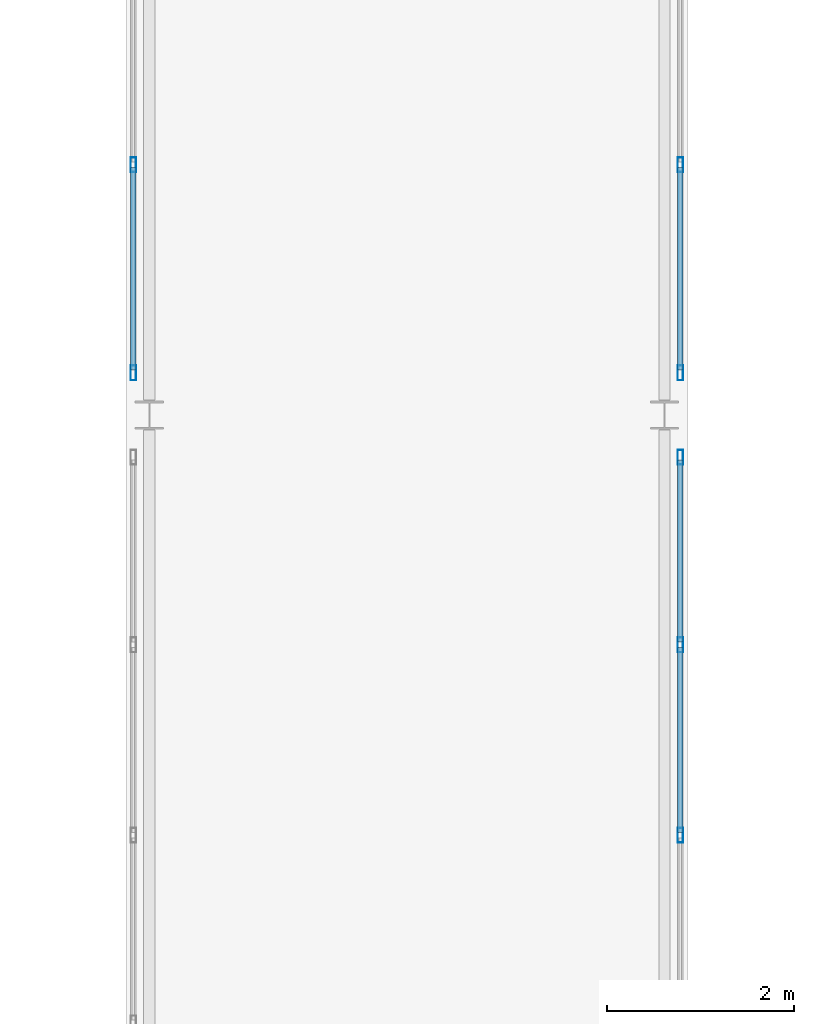
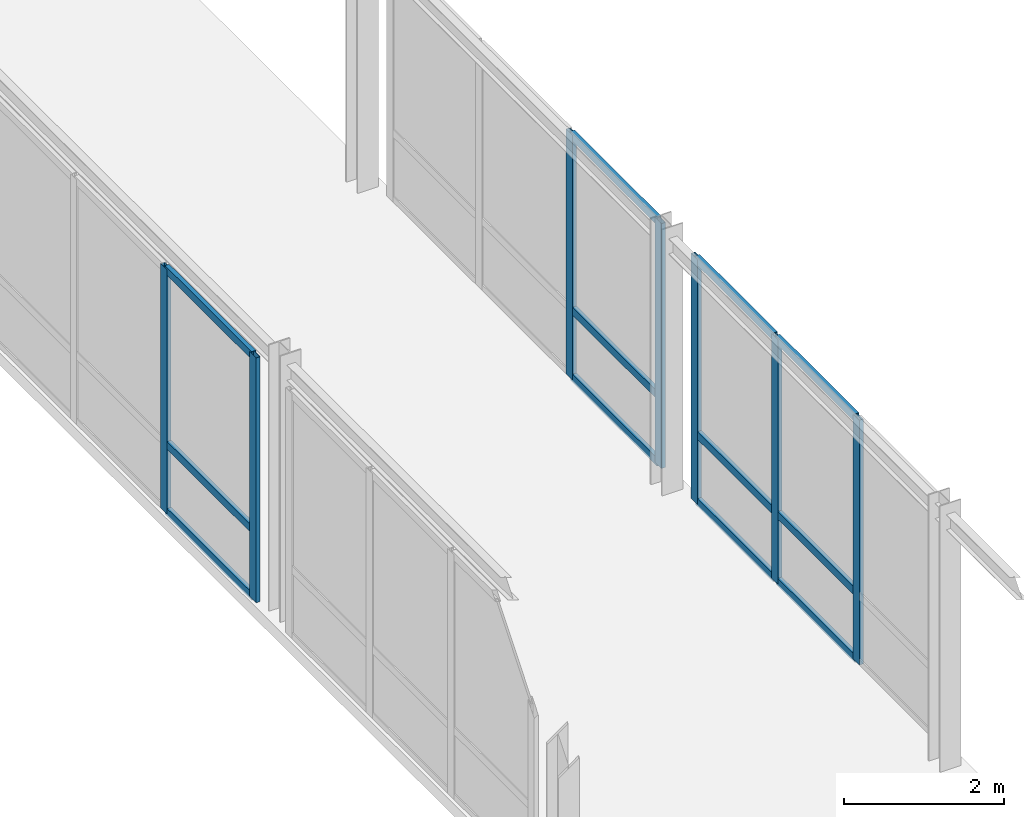
# One storey, part 59 of 165: 19 members, 3 elements without a shape of their own.
"""IFC4 building model written with IfcOpenShell, lengths in metres."""

from ifc_helpers import new_model, si_unit, direction, frame, origin, origin_2d, place, context, subcontext, project, spatial, hollow_rectangle, extrude, material, layer, layer_set, material_profile, profile_set, type_object, element, aggregate, save


model = new_model("IFC4")

# Units and contexts
model_context = context("Model", 3, precision=1e-05, world=origin(), true_north=direction((0.0, 1.0)))
body_context = subcontext(model_context, "Body", "Model", "MODEL_VIEW")
ifc_project = project(units=[si_unit("LENGTHUNIT", "METRE"), si_unit("AREAUNIT", "SQUARE_METRE"), si_unit("VOLUMEUNIT", "CUBIC_METRE"), si_unit("PLANEANGLEUNIT", "RADIAN"), si_unit("MASSUNIT", "GRAM", prefix="KILO")], contexts=[model_context])

# Site, building, storey
site_placement = place(None, origin())
site = spatial("IfcSite", under=ifc_project, at=site_placement, CompositionType="ELEMENT")
building_placement = place(site_placement, origin())
building = spatial("IfcBuilding", under=site, at=building_placement, Name="Montecoro Central Library", CompositionType="ELEMENT")
storey_placement = place(building_placement, frame((0.0, 0.0, 5.10009765625)))
storey = spatial("IfcBuildingStorey", under=building, at=storey_placement, Name="L01", CompositionType="ELEMENT", Elevation=5.10009765625)

# Curtain wall, members
ifc_material_1 = material(Name="Bronze-anodised aluminium and low-E glazing", Category="aluminium")
ifc_layer_1 = layer(ifc_material_1, 0.159912109375)
ifc_layer_set_1 = layer_set([ifc_layer_1], Name="Bronze-anodised aluminium and low-E glazing")
curtain_wall_type_1 = type_object("IfcCurtainWallType", Name="CWT-076", PredefinedType="NOTDEFINED", material=ifc_layer_set_1)
curtain_wall_1_placement = place(storey_placement, origin())
curtain_wall_1 = element("IfcCurtainWall", 1, at=curtain_wall_1_placement, inside=storey, type_object=curtain_wall_type_1, Name="BR-N-L01-CW-W2", PredefinedType="NOTDEFINED")
ifc_material_2 = material(Name="Bronze-anodised aluminium", Category="aluminium")
ifc_material_profile_1 = material_profile(ifc_material_2, hollow_rectangle(XDim=0.06005859375, YDim=0.159912109375, WallThickness=0.00390625, at=origin_2d()), Name="CWM 160x60x4.0")
ifc_profile_set_1 = profile_set([ifc_material_profile_1], Name="Bronze-anodised aluminium")
member_type_1 = type_object("IfcMemberType", Name="CWM-BRZ-60", PredefinedType="MULLION", material=ifc_profile_set_1)
member_1_placement = place(storey_placement, frame((88.679931640625, 66.25, 0.0), z_axis=(0.0, 0.0, 1.0), x_axis=(-1.0, 0.0, 0.0)))
member_1 = element("IfcMember", 2, at=member_1_placement, type_object=member_type_1, Name="CW-076 mullion 1", PredefinedType="MULLION", context=body_context, shape_type="SweptSolid", body=[
    extrude(hollow_rectangle(XDim=0.06005859375, YDim=0.159912109375, WallThickness=0.00390625, at=origin_2d()), origin(), (0.0, 0.0, 1.0), 3.72998046875),
])
member_2_placement = place(storey_placement, frame((88.679931640625, 68.473388671875, 0.0), z_axis=(0.0, 0.0, 1.0), x_axis=(-1.0, 0.0, 0.0)))
member_2 = element("IfcMember", 3, at=member_2_placement, type_object=member_type_1, Name="CW-076 mullion 2", PredefinedType="MULLION", context=body_context, shape_type="SweptSolid", body=[
    extrude(hollow_rectangle(XDim=0.06005859375, YDim=0.159912109375, WallThickness=0.00390625, at=origin_2d()), origin(), (0.0, 0.0, 1.0), 3.72998046875),
])

ifc_layer_2 = layer(ifc_material_1, 0.159912109375)
ifc_layer_set_2 = layer_set([ifc_layer_2], Name="Bronze-anodised aluminium and low-E glazing")
curtain_wall_type_2 = type_object("IfcCurtainWallType", Name="CWT-075", PredefinedType="NOTDEFINED", material=ifc_layer_set_2)
curtain_wall_2_placement = place(storey_placement, origin())
curtain_wall_2 = element("IfcCurtainWall", 4, at=curtain_wall_2_placement, inside=storey, type_object=curtain_wall_type_2, Name="BR-N-L01-CW-E1", PredefinedType="NOTDEFINED")
member_3_placement = place(storey_placement, frame((94.52001953125, 61.313232421875, 0.0), z_axis=(0.0, 0.0, 1.0), x_axis=(-1.0, 0.0, 0.0)))
member_3 = element("IfcMember", 5, at=member_3_placement, type_object=member_type_1, Name="CW-075 mullion 2", PredefinedType="MULLION", context=body_context, shape_type="SweptSolid", body=[
    extrude(hollow_rectangle(XDim=0.06005859375, YDim=0.159912109375, WallThickness=0.00390625, at=origin_2d()), origin(), (0.0, 0.0, 1.0), 3.72998046875),
])
member_4_placement = place(storey_placement, frame((94.52001953125, 63.3466796875, 0.0), z_axis=(0.0, 0.0, 1.0), x_axis=(-1.0, 0.0, 0.0)))
member_4 = element("IfcMember", 6, at=member_4_placement, type_object=member_type_1, Name="CW-075 mullion 3", PredefinedType="MULLION", context=body_context, shape_type="SweptSolid", body=[
    extrude(hollow_rectangle(XDim=0.06005859375, YDim=0.159912109375, WallThickness=0.00390625, at=origin_2d()), origin(), (0.0, 0.0, 1.0), 3.72998046875),
])
member_5_placement = place(storey_placement, frame((94.52001953125, 65.35009765625, 0.0), z_axis=(0.0, 0.0, 1.0), x_axis=(-1.0, 0.0, 0.0)))
member_5 = element("IfcMember", 7, at=member_5_placement, type_object=member_type_1, Name="CW-075 mullion 4", PredefinedType="MULLION", context=body_context, shape_type="SweptSolid", body=[
    extrude(hollow_rectangle(XDim=0.06005859375, YDim=0.159912109375, WallThickness=0.00390625, at=origin_2d()), origin(), (0.0, 0.0, 1.0), 3.72998046875),
])

curtain_wall_3_placement = place(storey_placement, origin())
curtain_wall_3 = element("IfcCurtainWall", 8, at=curtain_wall_3_placement, inside=storey, type_object=curtain_wall_type_1, Name="BR-N-L01-CW-E2", PredefinedType="NOTDEFINED")
member_6_placement = place(storey_placement, frame((94.52001953125, 66.25, 0.0), z_axis=(0.0, 0.0, 1.0), x_axis=(-1.0, 0.0, 0.0)))
member_6 = element("IfcMember", 9, at=member_6_placement, type_object=member_type_1, Name="CW-076 mullion 1", PredefinedType="MULLION", context=body_context, shape_type="SweptSolid", body=[
    extrude(hollow_rectangle(XDim=0.06005859375, YDim=0.159912109375, WallThickness=0.00390625, at=origin_2d()), origin(), (0.0, 0.0, 1.0), 3.72998046875),
])
member_7_placement = place(storey_placement, frame((94.52001953125, 68.473388671875, 0.0), z_axis=(0.0, 0.0, 1.0), x_axis=(-1.0, 0.0, 0.0)))
member_7 = element("IfcMember", 10, at=member_7_placement, type_object=member_type_1, Name="CW-076 mullion 2", PredefinedType="MULLION", context=body_context, shape_type="SweptSolid", body=[
    extrude(hollow_rectangle(XDim=0.06005859375, YDim=0.159912109375, WallThickness=0.00390625, at=origin_2d()), origin(), (0.0, 0.0, 1.0), 3.72998046875),
])

# Member
ifc_material_profile_2 = material_profile(ifc_material_2, hollow_rectangle(XDim=0.06005859375, YDim=0.1201171875, WallThickness=0.00390625, at=origin_2d()), Name="CWT 120x60x4.0")
ifc_profile_set_2 = profile_set([ifc_material_profile_2], Name="Bronze-anodised aluminium")
member_type_2 = type_object("IfcMemberType", Name="CWT-BRZ-60", PredefinedType="USERDEFINED", material=ifc_profile_set_2)
member_8_placement = place(storey_placement, frame((88.679931640625, 66.280029296875, 0.02978515625), z_axis=(0.0, 1.0, 0.0), x_axis=(-1.0, 0.0, 0.0)))
member_8 = element("IfcMember", 11, at=member_8_placement, type_object=member_type_2, Name="CW-076 transom 1.1", ObjectType="TRANSOM", PredefinedType="USERDEFINED", context=body_context, shape_type="SweptSolid", body=[
    extrude(hollow_rectangle(XDim=0.06005859375, YDim=0.1201171875, WallThickness=0.00390625, at=origin_2d()), origin(), (0.0, 0.0, 1.0), 2.163330078125),
])

member_9_placement = place(storey_placement, frame((88.679931640625, 66.280029296875, 1.0498046875), z_axis=(0.0, 1.0, 0.0), x_axis=(-1.0, 0.0, 0.0)))
member_9 = element("IfcMember", 12, at=member_9_placement, type_object=member_type_2, Name="CW-076 transom 1.2", ObjectType="TRANSOM", PredefinedType="USERDEFINED", context=body_context, shape_type="SweptSolid", body=[
    extrude(hollow_rectangle(XDim=0.06005859375, YDim=0.1201171875, WallThickness=0.00390625, at=origin_2d()), origin(), (0.0, 0.0, 1.0), 2.163330078125),
])

member_10_placement = place(storey_placement, frame((88.679931640625, 66.280029296875, 3.699951171875), z_axis=(0.0, 1.0, 0.0), x_axis=(-1.0, 0.0, 0.0)))
member_10 = element("IfcMember", 13, at=member_10_placement, type_object=member_type_2, Name="CW-076 transom 1.3", ObjectType="TRANSOM", PredefinedType="USERDEFINED", context=body_context, shape_type="SweptSolid", body=[
    extrude(hollow_rectangle(XDim=0.06005859375, YDim=0.1201171875, WallThickness=0.00390625, at=origin_2d()), origin(), (0.0, 0.0, 1.0), 2.163330078125),
])

aggregate(curtain_wall_1, [member_1, member_2, member_8, member_9, member_10])

member_11_placement = place(storey_placement, frame((94.52001953125, 61.34326171875, 0.02978515625), z_axis=(0.0, 1.0, 0.0), x_axis=(-1.0, 0.0, 0.0)))
member_11 = element("IfcMember", 14, at=member_11_placement, type_object=member_type_2, Name="CW-075 transom 2.1", ObjectType="TRANSOM", PredefinedType="USERDEFINED", context=body_context, shape_type="SweptSolid", body=[
    extrude(hollow_rectangle(XDim=0.06005859375, YDim=0.1201171875, WallThickness=0.00390625, at=origin_2d()), origin(), (0.0, 0.0, 1.0), 1.973388671875),
])

member_12_placement = place(storey_placement, frame((94.52001953125, 61.34326171875, 1.0498046875), z_axis=(0.0, 1.0, 0.0), x_axis=(-1.0, 0.0, 0.0)))
member_12 = element("IfcMember", 15, at=member_12_placement, type_object=member_type_2, Name="CW-075 transom 2.2", ObjectType="TRANSOM", PredefinedType="USERDEFINED", context=body_context, shape_type="SweptSolid", body=[
    extrude(hollow_rectangle(XDim=0.06005859375, YDim=0.1201171875, WallThickness=0.00390625, at=origin_2d()), origin(), (0.0, 0.0, 1.0), 1.973388671875),
])

member_13_placement = place(storey_placement, frame((94.52001953125, 61.34326171875, 3.699951171875), z_axis=(0.0, 1.0, 0.0), x_axis=(-1.0, 0.0, 0.0)))
member_13 = element("IfcMember", 16, at=member_13_placement, type_object=member_type_2, Name="CW-075 transom 2.3", ObjectType="TRANSOM", PredefinedType="USERDEFINED", context=body_context, shape_type="SweptSolid", body=[
    extrude(hollow_rectangle(XDim=0.06005859375, YDim=0.1201171875, WallThickness=0.00390625, at=origin_2d()), origin(), (0.0, 0.0, 1.0), 1.973388671875),
])

member_14_placement = place(storey_placement, frame((94.52001953125, 63.376708984375, 0.02978515625), z_axis=(0.0, 1.0, 0.0), x_axis=(-1.0, 0.0, 0.0)))
member_14 = element("IfcMember", 17, at=member_14_placement, type_object=member_type_2, Name="CW-075 transom 3.1", ObjectType="TRANSOM", PredefinedType="USERDEFINED", context=body_context, shape_type="SweptSolid", body=[
    extrude(hollow_rectangle(XDim=0.06005859375, YDim=0.1201171875, WallThickness=0.00390625, at=origin_2d()), origin(), (0.0, 0.0, 1.0), 1.943359375),
])

member_15_placement = place(storey_placement, frame((94.52001953125, 63.376708984375, 1.0498046875), z_axis=(0.0, 1.0, 0.0), x_axis=(-1.0, 0.0, 0.0)))
member_15 = element("IfcMember", 18, at=member_15_placement, type_object=member_type_2, Name="CW-075 transom 3.2", ObjectType="TRANSOM", PredefinedType="USERDEFINED", context=body_context, shape_type="SweptSolid", body=[
    extrude(hollow_rectangle(XDim=0.06005859375, YDim=0.1201171875, WallThickness=0.00390625, at=origin_2d()), origin(), (0.0, 0.0, 1.0), 1.943359375),
])

member_16_placement = place(storey_placement, frame((94.52001953125, 63.376708984375, 3.699951171875), z_axis=(0.0, 1.0, 0.0), x_axis=(-1.0, 0.0, 0.0)))
member_16 = element("IfcMember", 19, at=member_16_placement, type_object=member_type_2, Name="CW-075 transom 3.3", ObjectType="TRANSOM", PredefinedType="USERDEFINED", context=body_context, shape_type="SweptSolid", body=[
    extrude(hollow_rectangle(XDim=0.06005859375, YDim=0.1201171875, WallThickness=0.00390625, at=origin_2d()), origin(), (0.0, 0.0, 1.0), 1.943359375),
])

aggregate(curtain_wall_2, [member_3, member_4, member_5, member_11, member_12, member_13, member_14, member_15, member_16])

member_17_placement = place(storey_placement, frame((94.52001953125, 66.280029296875, 0.02978515625), z_axis=(0.0, 1.0, 0.0), x_axis=(-1.0, 0.0, 0.0)))
member_17 = element("IfcMember", 20, at=member_17_placement, type_object=member_type_2, Name="CW-076 transom 1.1", ObjectType="TRANSOM", PredefinedType="USERDEFINED", context=body_context, shape_type="SweptSolid", body=[
    extrude(hollow_rectangle(XDim=0.06005859375, YDim=0.1201171875, WallThickness=0.00390625, at=origin_2d()), origin(), (0.0, 0.0, 1.0), 2.163330078125),
])

member_18_placement = place(storey_placement, frame((94.52001953125, 66.280029296875, 1.0498046875), z_axis=(0.0, 1.0, 0.0), x_axis=(-1.0, 0.0, 0.0)))
member_18 = element("IfcMember", 21, at=member_18_placement, type_object=member_type_2, Name="CW-076 transom 1.2", ObjectType="TRANSOM", PredefinedType="USERDEFINED", context=body_context, shape_type="SweptSolid", body=[
    extrude(hollow_rectangle(XDim=0.06005859375, YDim=0.1201171875, WallThickness=0.00390625, at=origin_2d()), origin(), (0.0, 0.0, 1.0), 2.163330078125),
])

member_19_placement = place(storey_placement, frame((94.52001953125, 66.280029296875, 3.699951171875), z_axis=(0.0, 1.0, 0.0), x_axis=(-1.0, 0.0, 0.0)))
member_19 = element("IfcMember", 22, at=member_19_placement, type_object=member_type_2, Name="CW-076 transom 1.3", ObjectType="TRANSOM", PredefinedType="USERDEFINED", context=body_context, shape_type="SweptSolid", body=[
    extrude(hollow_rectangle(XDim=0.06005859375, YDim=0.1201171875, WallThickness=0.00390625, at=origin_2d()), origin(), (0.0, 0.0, 1.0), 2.163330078125),
])

aggregate(curtain_wall_3, [member_6, member_7, member_17, member_18, member_19])

save(model, "model.ifc")
